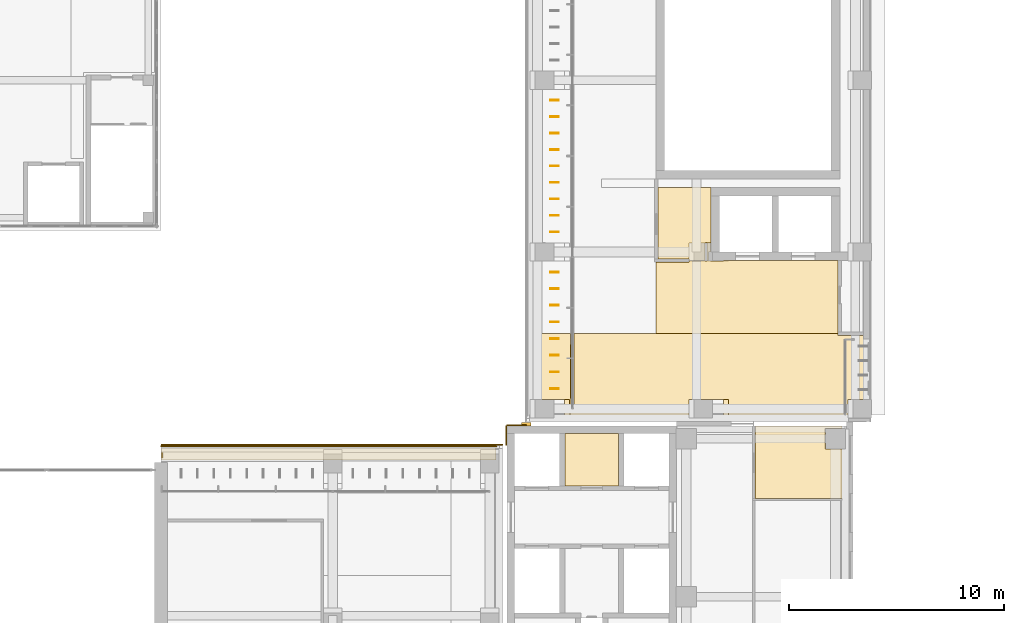
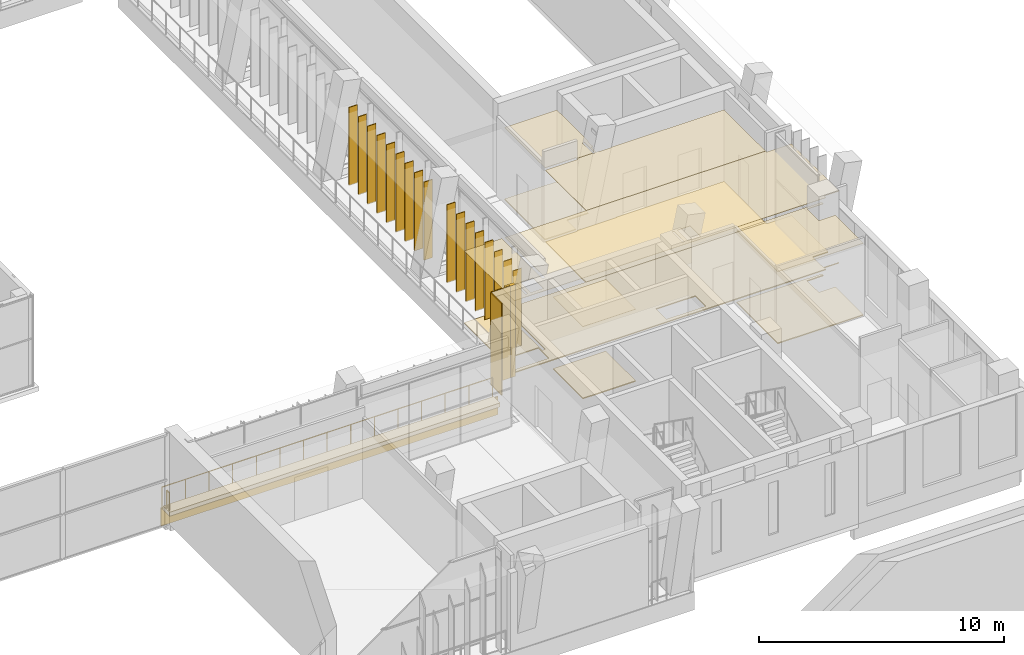
# One storey, part 89 of 92: 17 shading devices, 15 coverings, 2 railings.
"""IFC4 building model written with IfcOpenShell, lengths in metres."""

from ifc_helpers import new_model, si_unit, direction, frame, frame_2d, origin, origin_2d, place, context, subcontext, project, spatial, polyline, rectangle, circle, outline, extrude, material, layer, layer_set, type_object, element, save


model = new_model("IFC4")

# Units and contexts
model_context = context("Model", 3, precision=1e-05, world=origin(), true_north=direction((0.0, 1.0)))
body_context = subcontext(model_context, "Body", "Model", "MODEL_VIEW")
ifc_project = project(units=[si_unit("LENGTHUNIT", "METRE"), si_unit("AREAUNIT", "SQUARE_METRE"), si_unit("VOLUMEUNIT", "CUBIC_METRE"), si_unit("PLANEANGLEUNIT", "RADIAN"), si_unit("MASSUNIT", "GRAM", prefix="KILO")], contexts=[model_context])

# Site, building, storey
site_placement = place(None, origin())
site = spatial("IfcSite", under=ifc_project, at=site_placement, CompositionType="ELEMENT")
building_placement = place(site_placement, origin())
building = spatial("IfcBuilding", under=site, at=building_placement, Name="Lantern Court Media Centre", CompositionType="ELEMENT")
storey_placement = place(building_placement, frame((0.0, 0.0, 4.800048828125)))
storey = spatial("IfcBuildingStorey", under=building, at=storey_placement, Name="L01", CompositionType="ELEMENT", Elevation=4.800048828125)

# Coverings
ifc_material_1 = material(Name="Carpet")
ifc_layer_1 = layer(ifc_material_1, 0.050048828125)
ifc_layer_set_1 = layer_set([ifc_layer_1], Name="Carpet")
covering_type_1 = type_object("IfcCoveringType", Name="Carpet floor finish", PredefinedType="FLOORING", material=ifc_layer_set_1)
covering_1_placement = place(storey_placement, origin())
element("IfcCovering", 1, at=covering_1_placement, inside=storey, type_object=covering_type_1, Name="Library Administration Office floor finish", PredefinedType="FLOORING", context=body_context, shape_type="SweptSolid", body=[
    extrude(outline(polyline([(95.699951171875, 60.52587890625), (91.66748046875, 60.52587890625), (91.66748046875, 63.89990234375), (95.699951171875, 63.89990234375), (95.699951171875, 63.780029296875), (94.919921875, 63.77490234375), (94.921142578125, 62.82177734375), (95.699951171875, 62.820068359375), (95.699951171875, 60.52587890625)])), origin(), (0.0, 0.0, 1.0), 0.050048828125),
])
ifc_material_2 = material(Name="Ceramic tile")
ifc_layer_2 = layer(ifc_material_2, 0.050048828125)
ifc_layer_set_2 = layer_set([ifc_layer_2], Name="Ceramic tile")
covering_type_2 = type_object("IfcCoveringType", Name="Ceramic tile floor finish", PredefinedType="FLOORING", material=ifc_layer_set_2)
covering_2_placement = place(storey_placement, origin())
element("IfcCovering", 2, at=covering_2_placement, inside=storey, type_object=covering_type_2, Name="Accessible WC floor finish", PredefinedType="FLOORING", context=body_context, shape_type="SweptSolid", body=[
    extrude(outline(polyline([(89.594970703125, 75.0), (89.594970703125, 72.429931640625), (88.572265625, 72.42919921875), (88.570068359375, 71.679931640625), (87.1298828125, 71.679931640625), (87.1298828125, 75.0), (89.594970703125, 75.0)])), origin(), (0.0, 0.0, 1.0), 0.050048828125),
])
covering_3_placement = place(storey_placement, origin())
element("IfcCovering", 3, at=covering_3_placement, inside=storey, type_object=covering_type_2, Name="Accessible WC floor finish", PredefinedType="FLOORING", context=body_context, shape_type="SweptSolid", body=[
    extrude(outline(polyline([(85.294921875, 63.544921875), (85.294921875, 61.10498046875), (82.804931640625, 61.10498046875), (82.804931640625, 63.544921875), (85.294921875, 63.544921875)])), origin(), (0.0, 0.0, 1.0), 0.050048828125),
])

# Railing
ifc_material_3 = material(Name="Powder-coated steel", Category="steel")
railing_type_1 = type_object("IfcRailingType", Name="Floor edge guard 1100", PredefinedType="GUARDRAIL", material=ifc_material_3)
railing_1_placement = place(storey_placement, frame((64.06005859375, 62.43994140625, 0.0)))
element("IfcRailing", 4, at=railing_1_placement, inside=storey, type_object=railing_type_1, Name="L01 edge guard 19", PredefinedType="GUARDRAIL", context=body_context, shape_type="SweptSolid", body=[
    extrude(circle(Radius=0.02392578125, at=origin_2d()), frame((0.0, 0.0, 1.076171875), z_axis=(0.0, 1.0, 0.0), x_axis=(-1.0, 0.0, 0.0)), (0.0, 0.0, 1.0), 0.199951171875),
    extrude(circle(Radius=0.02099609375, at=origin_2d()), origin(), (0.0, 0.0, 1.0), 1.052001953125),
    extrude(circle(Radius=0.02099609375, at=origin_2d()), frame((0.0, 0.199951171875, 0.0)), (0.0, 0.0, 1.0), 1.052001953125),
])

# Covering
ifc_material_4 = material(Name="White glass-fibre reinforced cement cladding", Category="concrete")
ifc_layer_3 = layer(ifc_material_4, 0.050048828125)
ifc_layer_set_3 = layer_set([ifc_layer_3], Name="White glass-fibre reinforced cement cladding")
covering_type_3 = type_object("IfcCoveringType", Name="Floor-edge band 50", PredefinedType="CLADDING", material=ifc_layer_set_3)
covering_4_placement = place(storey_placement, frame((64.0, 63.02490234375, -0.900146484375), z_axis=(0.0, 0.0, 1.0), x_axis=(1.0, 0.0, 0.0)))
element("IfcCovering", 5, at=covering_4_placement, inside=storey, type_object=covering_type_3, Name="Floor-edge band S inner L01", PredefinedType="CLADDING", context=body_context, shape_type="SweptSolid", body=[
    extrude(rectangle(XDim=15.89990234375, YDim=0.050048828125, at=frame_2d((7.949951171875, 0.0))), origin(), (0.0, 0.0, 1.0), 0.900146484375),
])

# Railing
ifc_material_5 = material(Name="Painted mild steel balustrade", Category="steel")
railing_type_2 = type_object("IfcRailingType", Name="Guard 1100 steel balustrade", PredefinedType="GUARDRAIL", material=ifc_material_5)
railing_2_placement = place(storey_placement, frame((64.0, 62.949951171875, 0.0)))
element("IfcRailing", 6, at=railing_2_placement, inside=storey, type_object=railing_type_2, Name="Ledge guard S L01", PredefinedType="GUARDRAIL", context=body_context, shape_type="SweptSolid", body=[
    extrude(circle(Radius=0.02392578125, at=origin_2d()), frame((0.0, 0.0, 1.076171875), z_axis=(1.0, 0.0, 0.0), x_axis=(0.0, 1.0, 0.0)), (0.0, 0.0, 1.0), 15.60009765625),
    extrude(circle(Radius=0.02099609375, at=origin_2d()), origin(), (0.0, 0.0, 1.0), 1.052001953125),
    extrude(circle(Radius=0.02099609375, at=origin_2d()), frame((1.1142578125, 0.0, 0.0)), (0.0, 0.0, 1.0), 1.052001953125),
    extrude(circle(Radius=0.02099609375, at=origin_2d()), frame((2.228515625, 0.0, 0.0)), (0.0, 0.0, 1.0), 1.052001953125),
    extrude(circle(Radius=0.02099609375, at=origin_2d()), frame((3.3427734375, 0.0, 0.0)), (0.0, 0.0, 1.0), 1.052001953125),
    extrude(circle(Radius=0.02099609375, at=origin_2d()), frame((4.457275390625, 0.0, 0.0)), (0.0, 0.0, 1.0), 1.052001953125),
    extrude(circle(Radius=0.02099609375, at=origin_2d()), frame((5.571533203125, 0.0, 0.0)), (0.0, 0.0, 1.0), 1.052001953125),
    extrude(circle(Radius=0.02099609375, at=origin_2d()), frame((6.685791015625, 0.0, 0.0)), (0.0, 0.0, 1.0), 1.052001953125),
    extrude(circle(Radius=0.02099609375, at=origin_2d()), frame((7.800048828125, 0.0, 0.0)), (0.0, 0.0, 1.0), 1.052001953125),
    extrude(circle(Radius=0.02099609375, at=origin_2d()), frame((8.914306640625, 0.0, 0.0)), (0.0, 0.0, 1.0), 1.052001953125),
    extrude(circle(Radius=0.02099609375, at=origin_2d()), frame((10.028564453125, 0.0, 0.0)), (0.0, 0.0, 1.0), 1.052001953125),
    extrude(circle(Radius=0.02099609375, at=origin_2d()), frame((11.142822265625, 0.0, 0.0)), (0.0, 0.0, 1.0), 1.052001953125),
    extrude(circle(Radius=0.02099609375, at=origin_2d()), frame((12.25732421875, 0.0, 0.0)), (0.0, 0.0, 1.0), 1.052001953125),
    extrude(circle(Radius=0.02099609375, at=origin_2d()), frame((13.37158203125, 0.0, 0.0)), (0.0, 0.0, 1.0), 1.052001953125),
    extrude(circle(Radius=0.02099609375, at=origin_2d()), frame((14.48583984375, 0.0, 0.0)), (0.0, 0.0, 1.0), 1.052001953125),
    extrude(circle(Radius=0.02099609375, at=origin_2d()), frame((15.60009765625, 0.0, 0.0)), (0.0, 0.0, 1.0), 1.052001953125),
])

# Coverings
ifc_material_6 = material(Name="Honed limestone cladding", Category="masonry")
ifc_layer_4 = layer(ifc_material_6, 0.050048828125)
ifc_layer_set_4 = layer_set([ifc_layer_4], Name="Honed limestone cladding")
covering_type_4 = type_object("IfcCoveringType", Name="Limestone cladding panel 50", PredefinedType="CLADDING", material=ifc_layer_set_4)
for number, where, z_axis, x_axis, name in (
    (7, (80.074951171875, 63.0, 0.0), (0.0, 0.0, 1.0), (0.0, 1.0, 0.0), "Limestone joint cladding S-SE L01"),
    (8, (80.10009765625, 63.925048828125, 0.0), (0.0, 0.0, 1.0), (1.0, 0.0, 0.0), "Limestone joint cladding E-SE L01"),
):
    element("IfcCovering", number, at=place(storey_placement, frame(where, z_axis=z_axis, x_axis=x_axis)), inside=storey, type_object=covering_type_4, Name=name, PredefinedType="CLADDING", context=body_context, shape_type="SweptSolid", body=[
        extrude(rectangle(XDim=0.89990234375, YDim=0.050048828125, at=frame_2d((0.449951171875, 0.0))), origin(), (0.0, 0.0, 1.0), 4.579833984375),
    ])
ifc_layer_5 = layer(ifc_material_6, 0.14990234375)
ifc_layer_set_5 = layer_set([ifc_layer_5], Name="Honed limestone cladding")
covering_type_5 = type_object("IfcCoveringType", Name="Limestone pilaster cladding 150", PredefinedType="CLADDING", material=ifc_layer_set_5)
covering_5_placement = place(storey_placement, frame((80.77490234375, 63.97509765625, 0.0), z_axis=(0.0, 0.0, 1.0), x_axis=(1.0, 0.0, 0.0)))
element("IfcCovering", 9, at=covering_5_placement, inside=storey, type_object=covering_type_5, Name="Limestone pilaster rib", PredefinedType="CLADDING", context=body_context, shape_type="SweptSolid", body=[
    extrude(rectangle(XDim=0.4501953125, YDim=0.14990234375, at=frame_2d((0.22509765625, 0.0))), origin(), (0.0, 0.0, 1.0), 4.579833984375),
])
ifc_material_7 = material(Name="Planting substrate")
ifc_layer_6 = layer(ifc_material_7, 0.199951171875)
ifc_layer_set_6 = layer_set([ifc_layer_6], Name="Planting substrate")
covering_type_6 = type_object("IfcCoveringType", Name="Planted ledge build-up 200", PredefinedType="ROOFING", material=ifc_layer_set_6)
covering_6_placement = place(storey_placement, origin())
element("IfcCovering", 10, at=covering_6_placement, inside=storey, type_object=covering_type_6, Name="Planted ledge S L01", PredefinedType="ROOFING", context=body_context, shape_type="SweptSolid", body=[
    extrude(outline(polyline([(64.0, 62.85009765625), (79.60009765625, 62.85009765625), (79.60009765625, 62.320068359375), (64.0, 62.320068359375), (64.0, 62.85009765625)])), origin(), (0.0, 0.0, 1.0), 0.199951171875),
])
ifc_material_8 = material(Name="Mineral fibre ceiling tile")
ifc_layer_7 = layer(ifc_material_8, 0.02001953125)
ifc_layer_set_7 = layer_set([ifc_layer_7], Name="Mineral fibre ceiling tile")
covering_type_7 = type_object("IfcCoveringType", Name="Suspended ceiling tile", PredefinedType="CEILING", material=ifc_layer_set_7)
covering_7_placement = place(storey_placement, frame((0.0, 0.0, 3.599853515625)))
element("IfcCovering", 11, at=covering_7_placement, inside=storey, type_object=covering_type_7, Name="End Lobby ceiling", PredefinedType="CEILING", context=body_context, shape_type="SweptSolid", body=[
    extrude(outline(polyline([(96.699951171875, 64.240478515625), (96.0, 64.240478515625), (95.99951171875, 64.10009765625), (81.300048828125, 64.10009765625), (81.300048828125, 68.199951171875), (83.074462890625, 68.199951171875), (83.074951171875, 64.8994140625), (83.2255859375, 64.89990234375), (83.2255859375, 68.199951171875), (95.51953125, 68.199951171875), (95.52001953125, 68.119384765625), (96.695068359375, 68.119384765625), (96.699462890625, 68.199951171875), (96.699951171875, 64.240478515625)]), holes=[polyline([(90.177001953125, 64.2744140625), (90.177490234375, 65.125244140625), (89.57470703125, 65.12548828125), (89.574462890625, 64.274658203125), (90.177001953125, 64.2744140625)]), polyline([(89.425537109375, 65.125), (89.32666015625, 65.125), (89.3271484375, 64.2744140625), (89.425537109375, 64.27490234375), (89.425537109375, 65.125)]), polyline([(82.777099609375, 64.2744140625), (82.777587890625, 65.125244140625), (82.1748046875, 65.12548828125), (82.174560546875, 64.274658203125), (82.777099609375, 64.2744140625)]), polyline([(82.025390625, 65.125), (81.926513671875, 65.125), (81.927001953125, 64.2744140625), (82.025390625, 64.27490234375), (82.025390625, 65.125)])]), origin(), (0.0, 0.0, 1.0), 0.02001953125),
])
covering_8_placement = place(storey_placement, frame((0.0, 0.0, 3.599853515625)))
element("IfcCovering", 12, at=covering_8_placement, inside=storey, type_object=covering_type_7, Name="Lift Lobby ceiling", PredefinedType="CEILING", context=body_context, shape_type="SweptSolid", body=[
    extrude(outline(polyline([(95.60009765625, 71.595458984375), (95.51953125, 71.594970703125), (95.51953125, 68.199951171875), (87.050048828125, 68.199951171875), (87.050048828125, 71.5244140625), (88.570068359375, 71.5244140625), (88.570556640625, 71.60009765625), (89.32666015625, 71.60009765625), (89.3271484375, 71.574462890625), (89.425048828125, 71.574462890625), (89.425537109375, 71.60009765625), (89.574462890625, 71.599609375), (89.574951171875, 71.574462890625), (90.177001953125, 71.574462890625), (90.177490234375, 71.599609375), (95.60009765625, 71.595458984375)])), origin(), (0.0, 0.0, 1.0), 0.02001953125),
])
covering_9_placement = place(storey_placement, frame((0.0, 0.0, 3.599853515625)))
element("IfcCovering", 13, at=covering_9_placement, inside=storey, type_object=covering_type_7, Name="Accessible WC ceiling", PredefinedType="CEILING", context=body_context, shape_type="SweptSolid", body=[
    extrude(outline(polyline([(89.599609375, 75.0), (89.599609375, 72.425537109375), (89.574462890625, 72.425048828125), (89.574462890625, 72.00048828125), (89.487060546875, 72.0), (89.487060546875, 71.60009765625), (89.425537109375, 71.60009765625), (89.425048828125, 72.425537109375), (89.32666015625, 72.425048828125), (89.32666015625, 71.60009765625), (88.570556640625, 71.60009765625), (88.570068359375, 71.675537109375), (87.12548828125, 71.675537109375), (87.12548828125, 75.0), (89.599609375, 75.0)])), origin(), (0.0, 0.0, 1.0), 0.02001953125),
])
covering_10_placement = place(storey_placement, frame((0.0, 0.0, 3.599853515625)))
element("IfcCovering", 14, at=covering_10_placement, inside=storey, type_object=covering_type_7, Name="Accessible WC ceiling", PredefinedType="CEILING", context=body_context, shape_type="SweptSolid", body=[
    extrude(outline(polyline([(85.299560546875, 63.549560546875), (85.299560546875, 61.1005859375), (82.800537109375, 61.1005859375), (82.800537109375, 63.549560546875), (85.299560546875, 63.549560546875)])), origin(), (0.0, 0.0, 1.0), 0.02001953125),
])
covering_11_placement = place(storey_placement, frame((0.0, 0.0, 3.599853515625)))
element("IfcCovering", 15, at=covering_11_placement, inside=storey, type_object=covering_type_7, Name="Library Administration Office ceiling", PredefinedType="CEILING", context=body_context, shape_type="SweptSolid", body=[
    extrude(outline(polyline([(95.699951171875, 60.521484375), (91.6630859375, 60.521484375), (91.6630859375, 63.89990234375), (95.699951171875, 63.89990234375), (95.699951171875, 63.775390625), (94.924560546875, 63.77490234375), (94.924560546875, 62.82470703125), (95.699951171875, 62.824462890625), (95.699951171875, 60.521484375)])), origin(), (0.0, 0.0, 1.0), 0.02001953125),
])
ifc_material_9 = material(Name="Terrazzo")
ifc_layer_8 = layer(ifc_material_9, 0.050048828125)
ifc_layer_set_8 = layer_set([ifc_layer_8], Name="Terrazzo")
covering_type_8 = type_object("IfcCoveringType", Name="Terrazzo floor finish", PredefinedType="FLOORING", material=ifc_layer_set_8)
covering_12_placement = place(storey_placement, origin())
element("IfcCovering", 16, at=covering_12_placement, inside=storey, type_object=covering_type_8, Name="End Lobby floor finish", PredefinedType="FLOORING", context=body_context, shape_type="SweptSolid", body=[
    extrude(outline(polyline([(96.699951171875, 64.2451171875), (95.9990234375, 64.244873046875), (95.9951171875, 64.10009765625), (81.300048828125, 64.10009765625), (81.300048828125, 64.27001953125), (83.030029296875, 64.27490234375), (83.02734375, 65.12939453125), (81.300048828125, 65.1298828125), (81.300048828125, 68.199951171875), (83.070068359375, 68.199951171875), (83.074951171875, 64.89501953125), (83.22998046875, 64.89990234375), (83.22998046875, 68.199951171875), (95.514892578125, 68.199951171875), (95.51953125, 68.114990234375), (96.695068359375, 68.114990234375), (96.699951171875, 65.1298828125), (95.97119140625, 65.128173828125), (95.969970703125, 64.27490234375), (96.699951171875, 64.27001953125), (96.699951171875, 64.2451171875)]), holes=[polyline([(88.570068359375, 64.27490234375), (90.427001953125, 64.270263671875), (90.4296875, 65.126953125), (88.572998046875, 65.129638671875), (88.570068359375, 64.27490234375)])]), origin(), (0.0, 0.0, 1.0), 0.050048828125),
])
covering_13_placement = place(storey_placement, origin())
element("IfcCovering", 17, at=covering_13_placement, inside=storey, type_object=covering_type_8, Name="Lift Lobby floor finish", PredefinedType="FLOORING", context=body_context, shape_type="SweptSolid", body=[
    extrude(outline(polyline([(87.050048828125, 68.199951171875), (87.050048828125, 71.52001953125), (88.570068359375, 71.52001953125), (88.574951171875, 71.570068359375), (90.425048828125, 71.570068359375), (90.429931640625, 71.594970703125), (95.514892578125, 71.594970703125), (95.514892578125, 68.199951171875), (87.050048828125, 68.199951171875)])), origin(), (0.0, 0.0, 1.0), 0.050048828125),
])

# Shading devices
ifc_material_10 = material(Name="Bronze anodised aluminium louvre", Category="aluminium")
ifc_layer_9 = layer(ifc_material_10, 0.0400390625)
ifc_layer_set_9 = layer_set([ifc_layer_9], Name="Bronze anodised aluminium louvre")
shading_device_type = type_object("IfcShadingDeviceType", Name="Vertical louvre 40x400 under beam", PredefinedType="USERDEFINED", material=ifc_layer_set_9)
for number, where, z_axis, x_axis, name in (
    (18, (82.320068359375, 65.637451171875, 0.0), (0.0, 0.0, 1.0), (1.0, 0.0, 0.0), "Vertical louvre E inner L01"),
    (19, (82.320068359375, 66.41259765625, 0.0), (0.0, 0.0, 1.0), (1.0, 0.0, 0.0), "Vertical louvre E inner L01"),
    (20, (82.320068359375, 67.1875, 0.0), (0.0, 0.0, 1.0), (1.0, 0.0, 0.0), "Vertical louvre E inner L01"),
    (21, (82.320068359375, 67.96240234375, 0.0), (0.0, 0.0, 1.0), (1.0, 0.0, 0.0), "Vertical louvre E inner L01"),
    (22, (82.320068359375, 68.737548828125, 0.0), (0.0, 0.0, 1.0), (1.0, 0.0, 0.0), "Vertical louvre E inner L01"),
    (23, (82.320068359375, 69.512451171875, 0.0), (0.0, 0.0, 1.0), (1.0, 0.0, 0.0), "Vertical louvre E inner L01"),
    (24, (82.320068359375, 70.28759765625, 0.0), (0.0, 0.0, 1.0), (1.0, 0.0, 0.0), "Vertical louvre E inner L01"),
    (25, (82.320068359375, 71.0625, 0.0), (0.0, 0.0, 1.0), (1.0, 0.0, 0.0), "Vertical louvre E inner L01"),
    (26, (82.320068359375, 72.933349609375, 0.0), (0.0, 0.0, 1.0), (1.0, 0.0, 0.0), "Vertical louvre E inner L01"),
    (27, (82.320068359375, 73.699951171875, 0.0), (0.0, 0.0, 1.0), (1.0, 0.0, 0.0), "Vertical louvre E inner L01"),
    (28, (82.320068359375, 74.466552734375, 0.0), (0.0, 0.0, 1.0), (1.0, 0.0, 0.0), "Vertical louvre E inner L01"),
    (29, (82.320068359375, 75.2333984375, 0.0), (0.0, 0.0, 1.0), (1.0, 0.0, 0.0), "Vertical louvre E inner L01"),
    (30, (82.320068359375, 76.0, 0.0), (0.0, 0.0, 1.0), (1.0, 0.0, 0.0), "Vertical louvre E inner L01"),
    (31, (82.320068359375, 76.7666015625, 0.0), (0.0, 0.0, 1.0), (1.0, 0.0, 0.0), "Vertical louvre E inner L01"),
    (32, (82.320068359375, 77.533447265625, 0.0), (0.0, 0.0, 1.0), (1.0, 0.0, 0.0), "Vertical louvre E inner L01"),
    (33, (82.320068359375, 78.300048828125, 0.0), (0.0, 0.0, 1.0), (1.0, 0.0, 0.0), "Vertical louvre E inner L01"),
    (34, (82.320068359375, 79.066650390625, 0.0), (0.0, 0.0, 1.0), (1.0, 0.0, 0.0), "Vertical louvre E inner L01"),
):
    element("IfcShadingDevice", number, at=place(storey_placement, frame(where, z_axis=z_axis, x_axis=x_axis)), inside=storey, type_object=shading_device_type, Name=name, ObjectType="VERTICAL LOUVRE", PredefinedType="USERDEFINED", context=body_context, shape_type="SweptSolid", body=[
        extrude(rectangle(XDim=0.39990234375, YDim=0.0400390625, at=origin_2d()), origin(), (0.0, 0.0, 1.0), 3.89990234375),
    ])

save(model, "model.ifc")
